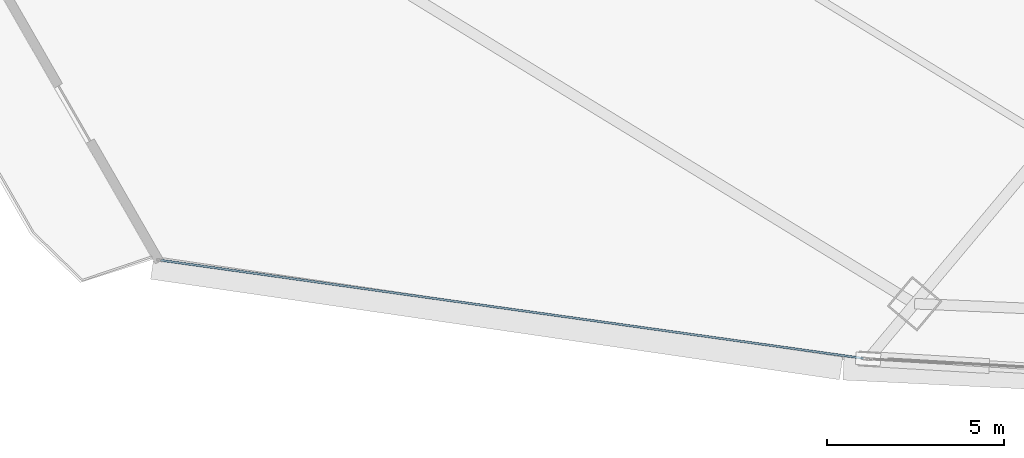
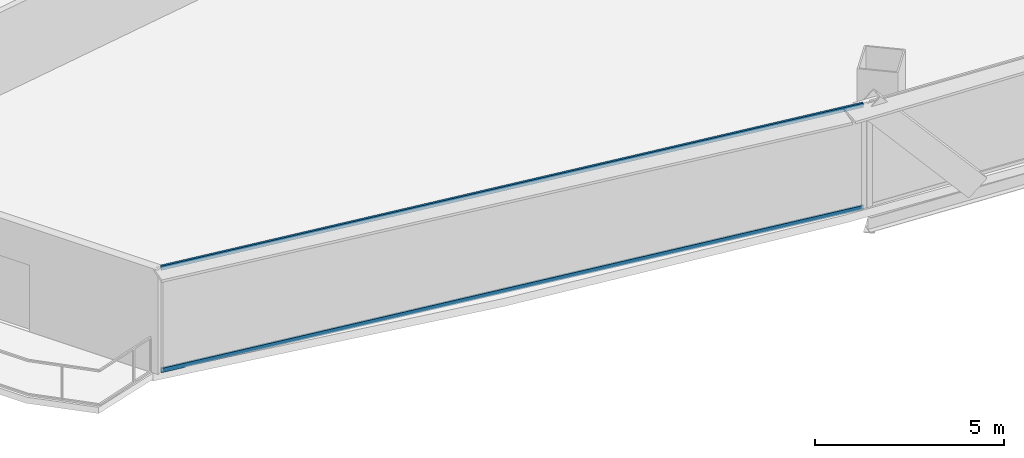
# One storey, part 3 of 38: 2 members, 1 element without a shape of its own.
"""IFC4 building model written with IfcOpenShell, lengths in metres."""

from ifc_helpers import new_model, si_unit, direction, frame, origin, origin_2d, place, context, subcontext, project, spatial, hollow_rectangle, extrude, source, transform, mapped, material, layer, layer_set, material_profile, profile_set, type_object, element, aggregate, save


model = new_model("IFC4")

# Units and contexts
model_context = context("Model", 3, precision=1e-05, world=origin(), true_north=direction((0.0, 1.0)))
body_context = subcontext(model_context, "Body", "Model", "MODEL_VIEW")
ifc_project = project(units=[si_unit("LENGTHUNIT", "METRE"), si_unit("AREAUNIT", "SQUARE_METRE"), si_unit("VOLUMEUNIT", "CUBIC_METRE"), si_unit("PLANEANGLEUNIT", "RADIAN"), si_unit("MASSUNIT", "GRAM", prefix="KILO"), si_unit("THERMODYNAMICTEMPERATUREUNIT", "KELVIN"), si_unit("POWERUNIT", "WATT")], contexts=[model_context])

# Site, building, storey
site_placement = place(None, origin())
site = spatial("IfcSite", under=ifc_project, at=site_placement, CompositionType="ELEMENT")
building_placement = place(site_placement, origin())
building = spatial("IfcBuilding", under=site, at=building_placement, Name="Yunzhuo Pagoda Commons", CompositionType="ELEMENT")
storey_placement = place(building_placement, frame((0.0, 0.0, 30.39990234375)))
storey = spatial("IfcBuildingStorey", under=building, at=storey_placement, Name="L07", CompositionType="ELEMENT", Elevation=30.39990234375)

# Curtain wall, members
ifc_material = material(Name="Anodized aluminium 6063-T6", Category="aluminium")
ifc_layer = layer(ifc_material, 0.1650390625)
ifc_layer_set = layer_set([ifc_layer], Name="Anodized aluminium 6063-T6")
curtain_wall_type = type_object("IfcCurtainWallType", Name="CW-LOW Low-Zone Ribbon Curtain Wall", PredefinedType="NOTDEFINED", material=ifc_layer_set)
curtain_wall_placement = place(storey_placement, origin())
curtain_wall = element("IfcCurtainWall", 1, at=curtain_wall_placement, inside=storey, type_object=curtain_wall_type, Name="L07 curtain wall CW-L07-F1B1", PredefinedType="NOTDEFINED")
ifc_material_profile = material_profile(ifc_material, hollow_rectangle(XDim=0.06005859375, YDim=0.139892578125, WallThickness=0.00341796875, at=origin_2d()), Name="Anodized aluminium 6063-T6")
ifc_profile_set = profile_set([ifc_material_profile], Name="Anodized aluminium 6063-T6")
member_type = type_object("IfcMemberType", Name="CW-LOW-T Transom RHS 140x60x3.5", PredefinedType="USERDEFINED", material=ifc_profile_set)
shared_shape = source(origin(), body_context, "Body", "SweptSolid", [
    extrude(hollow_rectangle(XDim=0.06005859375, YDim=0.139892578125, WallThickness=0.00341796875, at=origin_2d()), origin(), (0.0, 0.0, 1.0), 20.06201171875),
])
member_1_placement = place(storey_placement, frame((9.17919921875, 14.0732421875, 0.030029296875), z_axis=(0.990391410745, -0.138292637271, 0.0), x_axis=(0.138292637271, 0.990391410745, 0.0)))
member_1 = element("IfcMember", 2, at=member_1_placement, type_object=member_type, Name="CW transom 1.1", ObjectType="TRANSOM", PredefinedType="USERDEFINED", context=body_context, shape_type="MappedRepresentation", body=[
    mapped(shared_shape, transform((0.0, 0.0, 0.0), scale=1.0)),
])
member_2_placement = place(storey_placement, frame((9.17919921875, 14.0732421875, 3.340087890625), z_axis=(0.990391410745, -0.138292637271, 0.0), x_axis=(0.138292637271, 0.990391410745, 0.0)))
member_2 = element("IfcMember", 3, at=member_2_placement, type_object=member_type, Name="CW transom 1.2", ObjectType="TRANSOM", PredefinedType="USERDEFINED", context=body_context, shape_type="MappedRepresentation", body=[
    mapped(shared_shape, transform((0.0, 0.0, 0.0), scale=1.0)),
])
aggregate(curtain_wall, [member_1, member_2])

save(model, "model.ifc")
